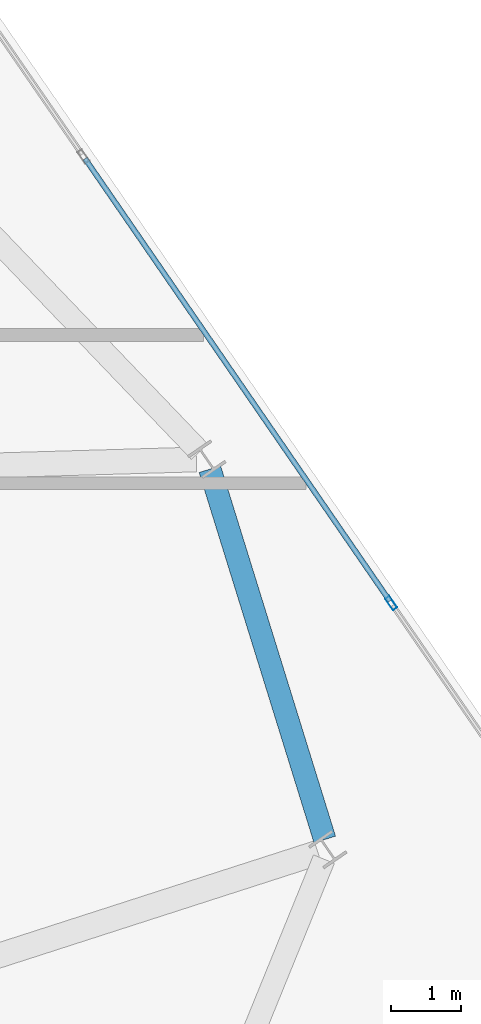
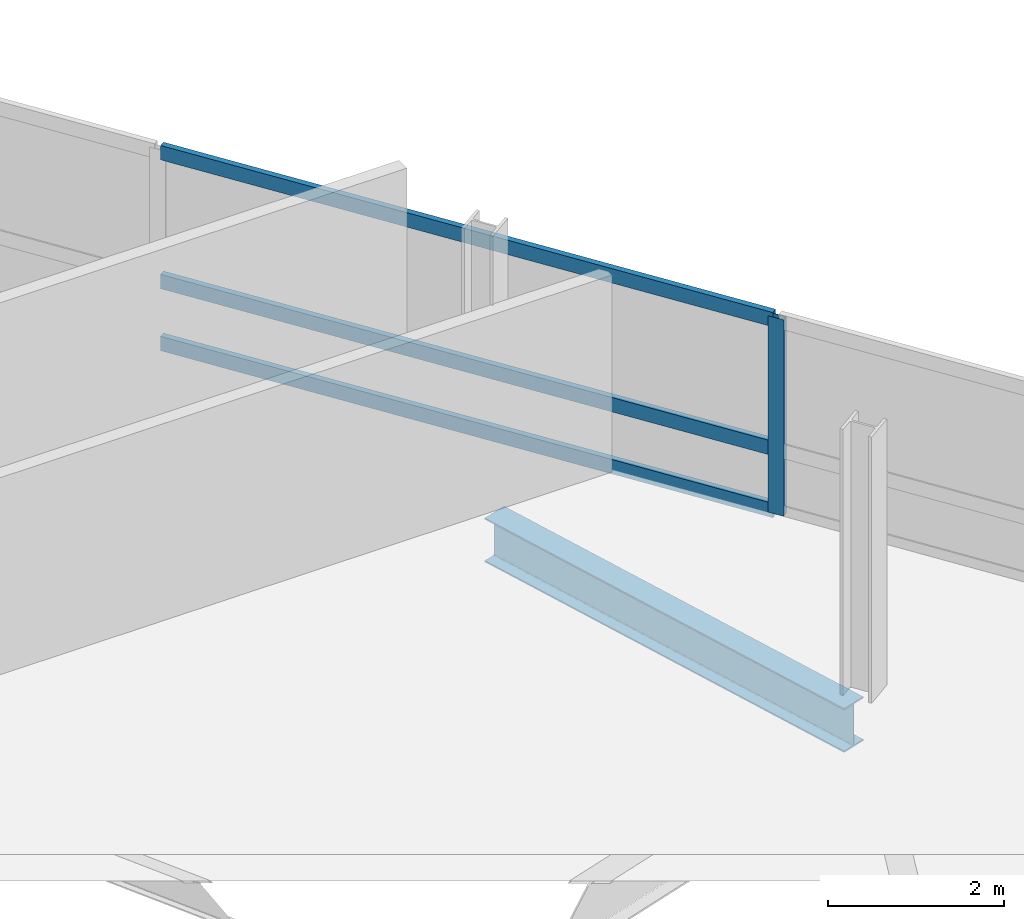
# One storey, part 13 of 23: 4 members, 1 beam, 1 element without a shape of its own.
"""IFC4 building model written with IfcOpenShell, lengths in metres."""

from ifc_helpers import new_model, si_unit, direction, frame, origin, origin_2d, place, context, subcontext, project, spatial, hollow_rectangle, i_section, extrude, material, layer, layer_set, material_profile, profile_set, type_object, element, aggregate, save


model = new_model("IFC4")

# Units and contexts
model_context = context("Model", 3, precision=1e-05, world=origin(), true_north=direction((0.0, 1.0)))
body_context = subcontext(model_context, "Body", "Model", "MODEL_VIEW")
ifc_project = project(units=[si_unit("LENGTHUNIT", "METRE"), si_unit("AREAUNIT", "SQUARE_METRE"), si_unit("VOLUMEUNIT", "CUBIC_METRE"), si_unit("PLANEANGLEUNIT", "RADIAN"), si_unit("MASSUNIT", "GRAM", prefix="KILO")], contexts=[model_context])

# Site, building, storey
site_placement = place(None, origin())
site = spatial("IfcSite", under=ifc_project, at=site_placement, CompositionType="ELEMENT")
building_placement = place(site_placement, origin())
building = spatial("IfcBuilding", under=site, at=building_placement, Name="Varnelok Gate Tower", CompositionType="ELEMENT")
storey_placement = place(building_placement, frame((0.0, 0.0, 258.199951171875)))
storey = spatial("IfcBuildingStorey", under=building, at=storey_placement, Name="L66", CompositionType="ELEMENT", Elevation=258.199951171875)

# Beam
ifc_material_1 = material(Name="Structural Steel ASTM A992 Grade 50", Category="steel")
ifc_material_profile_1 = material_profile(ifc_material_1, i_section(OverallWidth=0.323974609375, OverallDepth=0.611083984375, WebThickness=0.0126953125, FlangeThickness=0.01904296875, FilletRadius=0.01806640625, at=origin_2d()), Name="W24X104")
ifc_profile_set_1 = profile_set([ifc_material_profile_1], Name="Structural Steel ASTM A992 Grade 50")
beam_type = type_object("IfcBeamType", Name="BM-SPN-W24X104", PredefinedType="SPANDREL", material=ifc_profile_set_1)
beam_placement = place(storey_placement, frame((69.8125, 34.1748046875, -0.555419921875), z_axis=(-0.296340003452, 0.955082510757, 0.0), x_axis=(-0.955082510757, -0.296340003452, 0.0)))
element("IfcBeam", 1, at=beam_placement, inside=storey, type_object=beam_type, Name="L66 Perimeter Spandrel Beam 6", PredefinedType="SPANDREL", context=body_context, shape_type="SweptSolid", body=[
    extrude(i_section(OverallWidth=0.323974609375, OverallDepth=0.611083984375, WebThickness=0.0126953125, FlangeThickness=0.01904296875, FilletRadius=0.01806640625, at=origin_2d()), origin(), (0.0, 0.0, 1.0), 5.57666015625),
])

# Curtain wall, members
ifc_material_2 = material(Name="Anodized Aluminum Alloy 6063-T6", Category="aluminium")
ifc_layer = layer(ifc_material_2, 0.179931640625)
ifc_layer_set = layer_set([ifc_layer], Name="Anodized Aluminum Alloy 6063-T6")
curtain_wall_type = type_object("IfcCurtainWallType", Name="CW4-RESIDENCE-VISION", PredefinedType="USERDEFINED", material=ifc_layer_set)
curtain_wall_placement = place(storey_placement, origin())
curtain_wall = element("IfcCurtainWall", 2, at=curtain_wall_placement, inside=storey, type_object=curtain_wall_type, Name="L66 East End Vision Curtain Wall", ObjectType="UNITISED CURTAIN WALL", PredefinedType="USERDEFINED")
ifc_material_profile_2 = material_profile(ifc_material_2, hollow_rectangle(XDim=0.074951171875, YDim=0.199951171875, WallThickness=0.00390625, at=origin_2d()), Name="ALU200X75X4")
ifc_profile_set_2 = profile_set([ifc_material_profile_2], Name="Anodized Aluminum Alloy 6063-T6")
member_type_1 = type_object("IfcMemberType", Name="CW-MULL-200", PredefinedType="MULLION", material=ifc_profile_set_2)
member_1_placement = place(storey_placement, frame((70.768310546875, 37.57373046875, 0.0), z_axis=(0.0, 0.0, 1.0), x_axis=(0.823532290241, 0.567269395376, 0.0)))
member_1 = element("IfcMember", 3, at=member_1_placement, type_object=member_type_1, Name="CW4 mullion 4", PredefinedType="MULLION", context=body_context, shape_type="SweptSolid", body=[
    extrude(hollow_rectangle(XDim=0.074951171875, YDim=0.199951171875, WallThickness=0.00390625, at=origin_2d()), origin(), (0.0, 0.0, 1.0), 2.72998046875),
])
ifc_material_profile_3 = material_profile(ifc_material_2, hollow_rectangle(XDim=0.074951171875, YDim=0.199951171875, WallThickness=0.00390625, at=origin_2d()), Name="ALU200X75X4")
ifc_profile_set_3 = profile_set([ifc_material_profile_3], Name="Anodized Aluminum Alloy 6063-T6")
member_type_2 = type_object("IfcMemberType", Name="CW-TRAN-200", PredefinedType="USERDEFINED", material=ifc_profile_set_3)
member_2_placement = place(storey_placement, frame((66.364990234375, 43.96630859375, 0.03759765625), z_axis=(0.567260941086, -0.823538113701, 0.0), x_axis=(0.823538113701, 0.567260941086, 0.0)))
member_2 = element("IfcMember", 4, at=member_2_placement, type_object=member_type_2, Name="CW4 transom 3.1", ObjectType="TRANSOM", PredefinedType="USERDEFINED", context=body_context, shape_type="SweptSolid", body=[
    extrude(hollow_rectangle(XDim=0.074951171875, YDim=0.199951171875, WallThickness=0.00390625, at=origin_2d()), origin(), (0.0, 0.0, 1.0), 7.72509765625),
])
member_3_placement = place(storey_placement, frame((66.364990234375, 43.96630859375, 0.900146484375), z_axis=(0.567260941086, -0.823538113701, 0.0), x_axis=(0.823538113701, 0.567260941086, 0.0)))
member_3 = element("IfcMember", 5, at=member_3_placement, type_object=member_type_2, Name="CW4 transom 3.2", ObjectType="TRANSOM", PredefinedType="USERDEFINED", context=body_context, shape_type="SweptSolid", body=[
    extrude(hollow_rectangle(XDim=0.074951171875, YDim=0.199951171875, WallThickness=0.00390625, at=origin_2d()), origin(), (0.0, 0.0, 1.0), 7.72509765625),
])
member_4_placement = place(storey_placement, frame((66.364990234375, 43.96630859375, 2.692626953125), z_axis=(0.567260941086, -0.823538113701, 0.0), x_axis=(0.823538113701, 0.567260941086, 0.0)))
member_4 = element("IfcMember", 6, at=member_4_placement, type_object=member_type_2, Name="CW4 transom 3.3", ObjectType="TRANSOM", PredefinedType="USERDEFINED", context=body_context, shape_type="SweptSolid", body=[
    extrude(hollow_rectangle(XDim=0.074951171875, YDim=0.199951171875, WallThickness=0.00390625, at=origin_2d()), origin(), (0.0, 0.0, 1.0), 7.72509765625),
])
aggregate(curtain_wall, [member_1, member_2, member_3, member_4])

save(model, "model.ifc")
